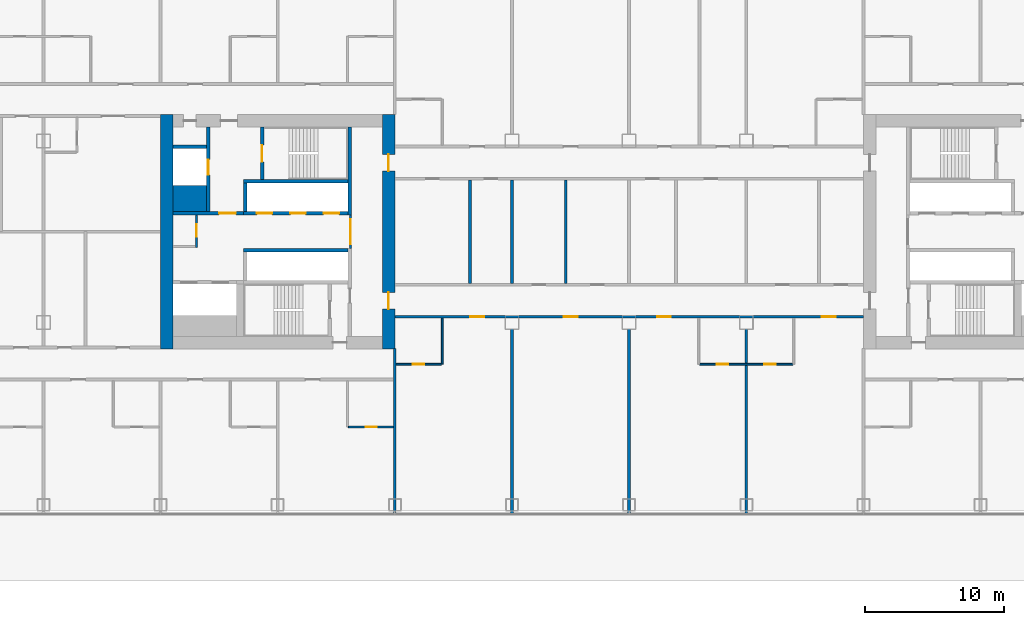
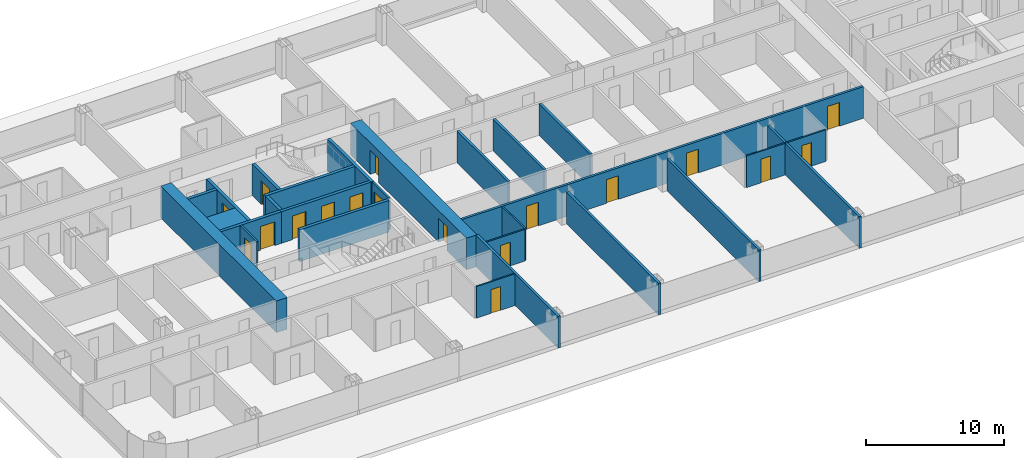
# One storey, part 22 of 42: 26 walls, 18 doors, 18 openings.
"""IFC4 building model written with IfcOpenShell, lengths in metres."""

from ifc_helpers import new_model, si_unit, direction, frame, frame_2d, origin, place, context, subcontext, project, spatial, rectangle, extrude, material, layer, layer_set, type_object, element, fill, save


model = new_model("IFC4")

# Units and contexts
model_context = context("Model", 3, precision=1e-05, world=origin(), true_north=direction((0.0, 1.0)))
body_context = subcontext(model_context, "Body", "Model", "MODEL_VIEW")
ifc_project = project(units=[si_unit("LENGTHUNIT", "METRE"), si_unit("AREAUNIT", "SQUARE_METRE"), si_unit("VOLUMEUNIT", "CUBIC_METRE"), si_unit("PLANEANGLEUNIT", "RADIAN"), si_unit("MASSUNIT", "GRAM", prefix="KILO")], contexts=[model_context])

# Site, building, storey
site_placement = place(None, origin())
site = spatial("IfcSite", under=ifc_project, at=site_placement, CompositionType="ELEMENT")
building_placement = place(site_placement, origin())
building = spatial("IfcBuilding", under=site, at=building_placement, Name="Hakoniwa Tower and Hamabe Station Hall", CompositionType="ELEMENT")
storey_placement = place(building_placement, frame((0.0, 0.0, 19.800048828125)))
storey = spatial("IfcBuildingStorey", under=building, at=storey_placement, Name="L04", CompositionType="ELEMENT", Elevation=19.800048828125)

# Wall, opening, door
ifc_material_1 = material(Name="Gypsum board partition", Category="gypsum")
ifc_layer_1 = layer(ifc_material_1, 0.125)
ifc_layer_set_1 = layer_set([ifc_layer_1], Name="Bathroom Partition 125")
wall_type_1 = type_object("IfcWallType", Name="Bathroom Partition 125", PredefinedType="PARTITIONING", material=ifc_layer_set_1)
wall_1_placement = place(storey_placement, frame((-20.137451171875, -14.0, 0.0), z_axis=(0.0, 0.0, 1.0), x_axis=(1.0, 0.0, 0.0)))
wall_1 = element("IfcWall", 1, at=wall_1_placement, inside=storey, type_object=wall_type_1, Name="GW-L04-004", PredefinedType="PARTITIONING", context=body_context, shape_type="SweptSolid", body=[
    extrude(rectangle(XDim=3.237548828125, YDim=0.125, at=frame_2d((1.61865234375, 0.0))), origin(), (0.0, 0.0, 1.0), 2.800048828125),
])
opening_1_placement = place(wall_1_placement, frame((1.237548828125, 0.0, 0.0)))
opening_1 = element("IfcOpeningElement", 2, at=opening_1_placement, cuts=wall_1, Name="Opening GD-G1A0-04", PredefinedType="OPENING", context=body_context, shape_type="SweptSolid", body=[
    extrude(rectangle(XDim=0.800048828125, YDim=2.10009765625, at=frame_2d((0.39990234375, 1.050048828125))), frame((0.0, 0.072509765625, 0.0), z_axis=(0.0, -1.0, 0.0), x_axis=(1.0, 0.0, 0.0)), (0.0, 0.0, 1.0), 0.14501953125),
])
ifc_material_2 = material(Name="Timber door leaf", Category="wood")
door_type_1 = type_object("IfcDoorType", Name="Bathroom Door 800", OperationType="SINGLE_SWING_LEFT", PredefinedType="DOOR", material=ifc_material_2)
door_1_placement = place(opening_1_placement, origin())
door_1 = element("IfcDoor", 3, at=door_1_placement, inside=storey, type_object=door_type_1, Name="Door GD-G1A0-04", OperationType="SINGLE_SWING_RIGHT", OverallHeight=2.10009765625, OverallWidth=0.800048828125, PredefinedType="DOOR", context=body_context, shape_type="SweptSolid", body=[
    extrude(rectangle(XDim=0.800048828125, YDim=2.10009765625, at=frame_2d((0.39990234375, 1.050048828125))), frame((0.0, 0.02490234375, 0.0), z_axis=(0.0, -1.0, 0.0), x_axis=(1.0, 0.0, 0.0)), (0.0, 0.0, 1.0), 0.050048828125),
])
fill(opening_1, door_1)

wall_2_placement = place(storey_placement, frame((-16.699951171875, -9.5, 0.0), z_axis=(0.0, 0.0, 1.0), x_axis=(1.0, 0.0, 0.0)))
wall_2 = element("IfcWall", 4, at=wall_2_placement, inside=storey, type_object=wall_type_1, Name="GW-L04-010", PredefinedType="PARTITIONING", context=body_context, shape_type="SweptSolid", body=[
    extrude(rectangle(XDim=3.237548828125, YDim=0.125, at=frame_2d((1.61865234375, 0.0))), origin(), (0.0, 0.0, 1.0), 2.800048828125),
])
opening_2_placement = place(wall_2_placement, frame((1.199951171875, 0.0, 0.0)))
opening_2 = element("IfcOpeningElement", 5, at=opening_2_placement, cuts=wall_2, Name="Opening GD-G1A0-17", PredefinedType="OPENING", context=body_context, shape_type="SweptSolid", body=[
    extrude(rectangle(XDim=0.800048828125, YDim=2.10009765625, at=frame_2d((0.39990234375, 1.050048828125))), frame((0.0, 0.072509765625, 0.0), z_axis=(0.0, -1.0, 0.0), x_axis=(1.0, 0.0, 0.0)), (0.0, 0.0, 1.0), 0.14501953125),
])
door_2_placement = place(opening_2_placement, origin())
door_2 = element("IfcDoor", 6, at=door_2_placement, inside=storey, type_object=door_type_1, Name="Door GD-G1A0-17", OperationType="SINGLE_SWING_RIGHT", OverallHeight=2.10009765625, OverallWidth=0.800048828125, PredefinedType="DOOR", context=body_context, shape_type="SweptSolid", body=[
    extrude(rectangle(XDim=0.800048828125, YDim=2.10009765625, at=frame_2d((0.39990234375, 1.050048828125))), frame((0.0, 0.02490234375, 0.0), z_axis=(0.0, -1.0, 0.0), x_axis=(1.0, 0.0, 0.0)), (0.0, 0.0, 1.0), 0.050048828125),
])
fill(opening_2, door_2)

# Wall, openings, doors
wall_3_placement = place(storey_placement, frame((5.0625, -9.5, 0.0), z_axis=(0.0, 0.0, 1.0), x_axis=(1.0, 0.0, 0.0)))
wall_3 = element("IfcWall", 7, at=wall_3_placement, inside=storey, type_object=wall_type_1, Name="GW-L04-011", PredefinedType="PARTITIONING", context=body_context, shape_type="SweptSolid", body=[
    extrude(rectangle(XDim=6.675048828125, YDim=0.125, at=frame_2d((3.33740234375, 0.0))), origin(), (0.0, 0.0, 1.0), 2.800048828125),
])
opening_3_placement = place(wall_3_placement, frame((1.237548828125, 0.0, 0.0)))
opening_3 = element("IfcOpeningElement", 8, at=opening_3_placement, cuts=wall_3, Name="Opening GD-G1A0-18", PredefinedType="OPENING", context=body_context, shape_type="SweptSolid", body=[
    extrude(rectangle(XDim=0.800048828125, YDim=2.10009765625, at=frame_2d((0.39990234375, 1.050048828125))), frame((0.0, 0.072509765625, 0.0), z_axis=(0.0, -1.0, 0.0), x_axis=(1.0, 0.0, 0.0)), (0.0, 0.0, 1.0), 0.14501953125),
])
opening_4_placement = place(wall_3_placement, frame((4.637451171875, 0.0, 0.0)))
opening_4 = element("IfcOpeningElement", 9, at=opening_4_placement, cuts=wall_3, Name="Opening GD-G1A0-19", PredefinedType="OPENING", context=body_context, shape_type="SweptSolid", body=[
    extrude(rectangle(XDim=0.800048828125, YDim=2.10009765625, at=frame_2d((0.39990234375, 1.050048828125))), frame((0.0, 0.072509765625, 0.0), z_axis=(0.0, -1.0, 0.0), x_axis=(1.0, 0.0, 0.0)), (0.0, 0.0, 1.0), 0.14501953125),
])
door_3_placement = place(opening_3_placement, origin())
door_3 = element("IfcDoor", 10, at=door_3_placement, inside=storey, type_object=door_type_1, Name="Door GD-G1A0-18", OperationType="SINGLE_SWING_LEFT", OverallHeight=2.10009765625, OverallWidth=0.800048828125, PredefinedType="DOOR", context=body_context, shape_type="SweptSolid", body=[
    extrude(rectangle(XDim=0.800048828125, YDim=2.10009765625, at=frame_2d((0.39990234375, 1.050048828125))), frame((0.0, 0.02490234375, 0.0), z_axis=(0.0, -1.0, 0.0), x_axis=(1.0, 0.0, 0.0)), (0.0, 0.0, 1.0), 0.050048828125),
])
fill(opening_3, door_3)
door_4_placement = place(opening_4_placement, origin())
door_4 = element("IfcDoor", 11, at=door_4_placement, inside=storey, type_object=door_type_1, Name="Door GD-G1A0-19", OperationType="SINGLE_SWING_RIGHT", OverallHeight=2.10009765625, OverallWidth=0.800048828125, PredefinedType="DOOR", context=body_context, shape_type="SweptSolid", body=[
    extrude(rectangle(XDim=0.800048828125, YDim=2.10009765625, at=frame_2d((0.39990234375, 1.050048828125))), frame((0.0, 0.02490234375, 0.0), z_axis=(0.0, -1.0, 0.0), x_axis=(1.0, 0.0, 0.0)), (0.0, 0.0, 1.0), 0.050048828125),
])
fill(opening_4, door_4)

# Wall
wall_4_placement = place(storey_placement, frame((-13.39990234375, -9.5, 0.0), z_axis=(0.0, 0.0, 1.0), x_axis=(0.0, 1.0, 0.0)))
element("IfcWall", 12, at=wall_4_placement, inside=storey, type_object=wall_type_1, Name="GW-L04-058", PredefinedType="PARTITIONING", context=body_context, shape_type="SweptSolid", body=[
    extrude(rectangle(XDim=3.300048828125, YDim=0.125, at=frame_2d((1.64990234375, 0.0))), origin(), (0.0, 0.0, 1.0), 2.800048828125),
])

# Wall, opening, door
ifc_material_3 = material(Name="Gypsum board partition")
ifc_layer_2 = layer(ifc_material_3, 0.14990234375)
ifc_layer_set_2 = layer_set([ifc_layer_2], Name="CORE PARTITION 150 EI 60")
wall_type_2 = type_object("IfcWallType", Name="CORE PARTITION 150 EI 60", PredefinedType="PARTITIONING", material=ifc_layer_set_2)
wall_5_placement = place(storey_placement, frame((-19.97509765625, -1.199951171875, 0.0), z_axis=(0.0, 0.0, 1.0), x_axis=(0.0, 1.0, 0.0)))
wall_5 = element("IfcWall", 13, at=wall_5_placement, inside=storey, type_object=wall_type_2, Name="Core partition PL0 west", PredefinedType="PARTITIONING", context=body_context, shape_type="SweptSolid", body=[
    extrude(rectangle(XDim=2.39990234375, YDim=0.14990234375, at=frame_2d((1.199951171875, 0.0))), origin(), (0.0, 0.0, 1.0), 2.800048828125),
])
opening_5_placement = place(wall_5_placement, frame((0.300048828125, 0.0, 0.0)))
opening_5 = element("IfcOpeningElement", 14, at=opening_5_placement, cuts=wall_5, Name="Opening CD-W-LP0-18", PredefinedType="OPENING", context=body_context, shape_type="SweptSolid", body=[
    extrude(rectangle(XDim=1.800048828125, YDim=2.10009765625, at=frame_2d((0.89990234375, 1.050048828125))), frame((0.0, 0.0849609375, 0.0), z_axis=(0.0, -1.0, 0.0), x_axis=(1.0, 0.0, 0.0)), (0.0, 0.0, 1.0), 0.169921875),
])
ifc_material_4 = material(Name="Steel fire door", Category="steel")
door_type_2 = type_object("IfcDoorType", Name="CORE DOOR 1800 FD60", OperationType="DOUBLE_DOOR_SINGLE_SWING", PredefinedType="DOOR", material=ifc_material_4)
door_5_placement = place(opening_5_placement, origin())
door_5 = element("IfcDoor", 15, at=door_5_placement, inside=storey, type_object=door_type_2, Name="Lift lobby partition door", OperationType="DOUBLE_DOOR_SINGLE_SWING", OverallHeight=2.10009765625, OverallWidth=1.800048828125, PredefinedType="DOOR", context=body_context, shape_type="SweptSolid", body=[
    extrude(rectangle(XDim=1.800048828125, YDim=2.10009765625, at=frame_2d((0.89990234375, 1.050048828125))), frame((0.0, 0.02490234375, 0.0), z_axis=(0.0, -1.0, 0.0), x_axis=(1.0, 0.0, 0.0)), (0.0, 0.0, 1.0), 0.050048828125),
])
fill(opening_5, door_5)

wall_6_placement = place(storey_placement, frame((-31.02490234375, -1.14990234375, 0.0), z_axis=(0.0, 0.0, 1.0), x_axis=(0.0, 1.0, 0.0)))
wall_6 = element("IfcWall", 16, at=wall_6_placement, inside=storey, type_object=wall_type_2, Name="Core partition PW0 west", PredefinedType="PARTITIONING", context=body_context, shape_type="SweptSolid", body=[
    extrude(rectangle(XDim=2.349853515625, YDim=0.14990234375, at=frame_2d((1.1748046875, 0.0))), origin(), (0.0, 0.0, 1.0), 2.800048828125),
])
opening_6_placement = place(wall_6_placement, frame((0.800048828125, 0.0, 0.0)))
opening_6 = element("IfcOpeningElement", 17, at=opening_6_placement, cuts=wall_6, Name="Opening CD-W-RM1-9", PredefinedType="OPENING", context=body_context, shape_type="SweptSolid", body=[
    extrude(rectangle(XDim=0.89990234375, YDim=2.10009765625, at=frame_2d((0.449951171875, 1.050048828125))), frame((0.0, 0.0849609375, 0.0), z_axis=(0.0, -1.0, 0.0), x_axis=(1.0, 0.0, 0.0)), (0.0, 0.0, 1.0), 0.169921875),
])
ifc_material_5 = material(Name="Steel fire door", Category="steel")
door_type_3 = type_object("IfcDoorType", Name="CORE DOOR 900 FD30", OperationType="NOTDEFINED", PredefinedType="DOOR", material=ifc_material_5)
door_6_placement = place(opening_6_placement, origin())
door_6 = element("IfcDoor", 18, at=door_6_placement, inside=storey, type_object=door_type_3, Name="Store room door", OperationType="SINGLE_SWING_LEFT", OverallHeight=2.10009765625, OverallWidth=0.89990234375, PredefinedType="DOOR", context=body_context, shape_type="SweptSolid", body=[
    extrude(rectangle(XDim=0.89990234375, YDim=2.10009765625, at=frame_2d((0.449951171875, 1.050048828125))), frame((0.0, 0.02490234375, 0.0), z_axis=(0.0, -1.0, 0.0), x_axis=(1.0, 0.0, 0.0)), (0.0, 0.0, 1.0), 0.050048828125),
])
fill(opening_6, door_6)

# Wall, openings, doors
ifc_material_6 = material(Name="Concrete C80", Category="concrete")
ifc_layer_3 = layer(ifc_material_6, 0.89990234375)
ifc_layer_set_3 = layer_set([ifc_layer_3], Name="CORE WALL 900 C80")
wall_type_3 = type_object("IfcWallType", Name="CORE WALL 900 C80", PredefinedType="SHEAR", material=ifc_layer_set_3)
wall_7_placement = place(storey_placement, frame((-17.25, -8.39990234375, 0.0), z_axis=(0.0, 0.0, 1.0), x_axis=(0.0, 1.0, 0.0)))
wall_7 = element("IfcWall", 19, at=wall_7_placement, inside=storey, type_object=wall_type_3, Name="Core wall INNER west", PredefinedType="SHEAR", context=body_context, shape_type="SweptSolid", body=[
    extrude(rectangle(XDim=16.7998046875, YDim=0.89990234375, at=frame_2d((8.39990234375, 0.0))), origin(), (0.0, 0.0, 1.0), 2.800048828125),
])
opening_7_placement = place(wall_7_placement, frame((12.75, 0.0, 0.0)))
opening_7 = element("IfcOpeningElement", 20, at=opening_7_placement, cuts=wall_7, Name="Opening CD-W-IN1-12", PredefinedType="OPENING", context=body_context, shape_type="SweptSolid", body=[
    extrude(rectangle(XDim=1.199951171875, YDim=2.10009765625, at=frame_2d((0.60009765625, 1.050048828125))), frame((0.0, 0.4599609375, 0.0), z_axis=(0.0, -1.0, 0.0), x_axis=(1.0, 0.0, 0.0)), (0.0, 0.0, 1.0), 0.919921875),
])
opening_8_placement = place(wall_7_placement, frame((2.85009765625, 0.0, 0.0)))
opening_8 = element("IfcOpeningElement", 21, at=opening_8_placement, cuts=wall_7, Name="Opening CD-W-IN2-12", PredefinedType="OPENING", context=body_context, shape_type="SweptSolid", body=[
    extrude(rectangle(XDim=1.199951171875, YDim=2.10009765625, at=frame_2d((0.60009765625, 1.050048828125))), frame((0.0, 0.4599609375, 0.0), z_axis=(0.0, -1.0, 0.0), x_axis=(1.0, 0.0, 0.0)), (0.0, 0.0, 1.0), 0.919921875),
])
ifc_material_7 = material(Name="Steel fire door", Category="steel")
door_type_4 = type_object("IfcDoorType", Name="CORE DOOR 1200 FD60", OperationType="DOUBLE_DOOR_SINGLE_SWING", PredefinedType="DOOR", material=ifc_material_7)
door_7_placement = place(opening_7_placement, origin())
door_7 = element("IfcDoor", 22, at=door_7_placement, inside=storey, type_object=door_type_4, Name="Lift lobby door", OperationType="DOUBLE_DOOR_SINGLE_SWING", OverallHeight=2.10009765625, OverallWidth=1.199951171875, PredefinedType="DOOR", context=body_context, shape_type="SweptSolid", body=[
    extrude(rectangle(XDim=1.199951171875, YDim=2.10009765625, at=frame_2d((0.60009765625, 1.050048828125))), frame((0.0, 0.02490234375, 0.0), z_axis=(0.0, -1.0, 0.0), x_axis=(1.0, 0.0, 0.0)), (0.0, 0.0, 1.0), 0.050048828125),
])
fill(opening_7, door_7)
door_8_placement = place(opening_8_placement, origin())
door_8 = element("IfcDoor", 23, at=door_8_placement, inside=storey, type_object=door_type_4, Name="Lift lobby door", OperationType="DOUBLE_DOOR_SINGLE_SWING", OverallHeight=2.10009765625, OverallWidth=1.199951171875, PredefinedType="DOOR", context=body_context, shape_type="SweptSolid", body=[
    extrude(rectangle(XDim=1.199951171875, YDim=2.10009765625, at=frame_2d((0.60009765625, 1.050048828125))), frame((0.0, 0.02490234375, 0.0), z_axis=(0.0, -1.0, 0.0), x_axis=(1.0, 0.0, 0.0)), (0.0, 0.0, 1.0), 0.050048828125),
])
fill(opening_8, door_8)

# Walls
wall_8_placement = place(storey_placement, frame((-33.14990234375, -8.39990234375, 0.0), z_axis=(0.0, 0.0, 1.0), x_axis=(0.0, 1.0, 0.0)))
element("IfcWall", 24, at=wall_8_placement, inside=storey, type_object=wall_type_3, Name="Core wall OUTER west", PredefinedType="SHEAR", context=body_context, shape_type="SweptSolid", body=[
    extrude(rectangle(XDim=16.7998046875, YDim=0.89990234375, at=frame_2d((8.39990234375, 0.0))), origin(), (0.0, 0.0, 1.0), 2.800048828125),
])
ifc_material_8 = material(Name="Concrete C80", Category="concrete")
ifc_layer_4 = layer(ifc_material_8, 1.85009765625)
ifc_layer_set_4 = layer_set([ifc_layer_4], Name="CORE WEB WALL 1850 C80")
wall_type_4 = type_object("IfcWallType", Name="CORE WEB WALL 1850 C80", PredefinedType="SHEAR", material=ifc_layer_set_4)
wall_9_placement = place(storey_placement, frame((-32.699951171875, 2.375, 0.0), z_axis=(0.0, 0.0, 1.0), x_axis=(1.0, 0.0, 0.0)))
element("IfcWall", 25, at=wall_9_placement, inside=storey, type_object=wall_type_4, Name="Core wall CA west", PredefinedType="SHEAR", context=body_context, shape_type="SweptSolid", body=[
    extrude(rectangle(XDim=2.39990234375, YDim=1.85009765625, at=frame_2d((1.199951171875, 0.0))), origin(), (0.0, 0.0, 1.0), 2.800048828125),
])
ifc_material_9 = material(Name="Concrete C80", Category="concrete")
ifc_layer_5 = layer(ifc_material_9, 0.25)
ifc_layer_set_5 = layer_set([ifc_layer_5], Name="CORE WEB WALL 250 C80")
wall_type_5 = type_object("IfcWallType", Name="CORE WEB WALL 250 C80", PredefinedType="SHEAR", material=ifc_layer_set_5)
wall_10_placement = place(storey_placement, frame((-20.02490234375, 1.199951171875, 0.0), z_axis=(0.0, 0.0, 1.0), x_axis=(0.0, 1.0, 0.0)))
element("IfcWall", 26, at=wall_10_placement, inside=storey, type_object=wall_type_5, Name="Core wall W1N west", PredefinedType="SHEAR", context=body_context, shape_type="SweptSolid", body=[
    extrude(rectangle(XDim=6.300048828125, YDim=0.25, at=frame_2d((3.14990234375, 0.0))), origin(), (0.0, 0.0, 1.0), 2.800048828125),
])

# Wall, openings, doors
wall_11_placement = place(storey_placement, frame((-27.64990234375, 1.324951171875, 0.0), z_axis=(0.0, 0.0, 1.0), x_axis=(1.0, 0.0, 0.0)))
wall_11 = element("IfcWall", 27, at=wall_11_placement, inside=storey, type_object=wall_type_5, Name="Core wall NF west", PredefinedType="SHEAR", context=body_context, shape_type="SweptSolid", body=[
    extrude(rectangle(XDim=7.5, YDim=0.25, at=frame_2d((3.75, 0.0))), origin(), (0.0, 0.0, 1.0), 2.800048828125),
])
opening_9_placement = place(wall_11_placement, frame((5.75, 0.0, 0.0)))
opening_9 = element("IfcOpeningElement", 28, at=opening_9_placement, cuts=wall_11, Name="Opening LD-LR1", PredefinedType="OPENING", context=body_context, shape_type="SweptSolid", body=[
    extrude(rectangle(XDim=1.10009765625, YDim=2.10009765625, at=frame_2d((0.550048828125, 1.050048828125))), frame((0.0, 0.135009765625, 0.0), z_axis=(0.0, -1.0, 0.0), x_axis=(1.0, 0.0, 0.0)), (0.0, 0.0, 1.0), 0.27001953125),
])
opening_10_placement = place(wall_11_placement, frame((3.35009765625, 0.0, 0.0)))
opening_10 = element("IfcOpeningElement", 29, at=opening_10_placement, cuts=wall_11, Name="Opening LD-LR2", PredefinedType="OPENING", context=body_context, shape_type="SweptSolid", body=[
    extrude(rectangle(XDim=1.10009765625, YDim=2.10009765625, at=frame_2d((0.550048828125, 1.050048828125))), frame((0.0, 0.135009765625, 0.0), z_axis=(0.0, -1.0, 0.0), x_axis=(1.0, 0.0, 0.0)), (0.0, 0.0, 1.0), 0.27001953125),
])
opening_11_placement = place(wall_11_placement, frame((0.949951171875, 0.0, 0.0)))
opening_11 = element("IfcOpeningElement", 30, at=opening_11_placement, cuts=wall_11, Name="Opening LD-LR3", PredefinedType="OPENING", context=body_context, shape_type="SweptSolid", body=[
    extrude(rectangle(XDim=1.10009765625, YDim=2.10009765625, at=frame_2d((0.550048828125, 1.050048828125))), frame((0.0, 0.135009765625, 0.0), z_axis=(0.0, -1.0, 0.0), x_axis=(1.0, 0.0, 0.0)), (0.0, 0.0, 1.0), 0.27001953125),
])
ifc_material_10 = material(Name="Stainless steel SUS304", Category="steel")
door_type_5 = type_object("IfcDoorType", Name="LIFT LANDING DOOR 1100 FD60", OperationType="DOUBLE_DOOR_SLIDING", PredefinedType="DOOR", material=ifc_material_10)
door_9_placement = place(opening_9_placement, origin())
door_9 = element("IfcDoor", 31, at=door_9_placement, inside=storey, type_object=door_type_5, Name="Lift landing door LR1 L04", OperationType="DOUBLE_DOOR_SLIDING", OverallHeight=2.10009765625, OverallWidth=1.10009765625, PredefinedType="DOOR", context=body_context, shape_type="SweptSolid", body=[
    extrude(rectangle(XDim=1.10009765625, YDim=2.10009765625, at=frame_2d((0.550048828125, 1.050048828125))), frame((0.0, 0.02490234375, 0.0), z_axis=(0.0, -1.0, 0.0), x_axis=(1.0, 0.0, 0.0)), (0.0, 0.0, 1.0), 0.050048828125),
])
fill(opening_9, door_9)
door_10_placement = place(opening_10_placement, origin())
door_10 = element("IfcDoor", 32, at=door_10_placement, inside=storey, type_object=door_type_5, Name="Lift landing door LR2 L04", OperationType="DOUBLE_DOOR_SLIDING", OverallHeight=2.10009765625, OverallWidth=1.10009765625, PredefinedType="DOOR", context=body_context, shape_type="SweptSolid", body=[
    extrude(rectangle(XDim=1.10009765625, YDim=2.10009765625, at=frame_2d((0.550048828125, 1.050048828125))), frame((0.0, 0.02490234375, 0.0), z_axis=(0.0, -1.0, 0.0), x_axis=(1.0, 0.0, 0.0)), (0.0, 0.0, 1.0), 0.050048828125),
])
fill(opening_10, door_10)
door_11_placement = place(opening_11_placement, origin())
door_11 = element("IfcDoor", 33, at=door_11_placement, inside=storey, type_object=door_type_5, Name="Lift landing door LR3 L04", OperationType="DOUBLE_DOOR_SLIDING", OverallHeight=2.10009765625, OverallWidth=1.10009765625, PredefinedType="DOOR", context=body_context, shape_type="SweptSolid", body=[
    extrude(rectangle(XDim=1.10009765625, YDim=2.10009765625, at=frame_2d((0.550048828125, 1.050048828125))), frame((0.0, 0.02490234375, 0.0), z_axis=(0.0, -1.0, 0.0), x_axis=(1.0, 0.0, 0.0)), (0.0, 0.0, 1.0), 0.050048828125),
])
fill(opening_11, door_11)

# Walls
wall_12_placement = place(storey_placement, frame((-27.52490234375, 1.449951171875, 0.0), z_axis=(0.0, 0.0, 1.0), x_axis=(0.0, 1.0, 0.0)))
element("IfcWall", 34, at=wall_12_placement, inside=storey, type_object=wall_type_5, Name="Core wall NE west", PredefinedType="SHEAR", context=body_context, shape_type="SweptSolid", body=[
    extrude(rectangle(XDim=2.050048828125, YDim=0.25, at=frame_2d((1.02490234375, 0.0))), origin(), (0.0, 0.0, 1.0), 2.800048828125),
])
wall_13_placement = place(storey_placement, frame((-27.64990234375, 3.625, 0.0), z_axis=(0.0, 0.0, 1.0), x_axis=(1.0, 0.0, 0.0)))
element("IfcWall", 35, at=wall_13_placement, inside=storey, type_object=wall_type_5, Name="Core wall NR west", PredefinedType="SHEAR", context=body_context, shape_type="SweptSolid", body=[
    extrude(rectangle(XDim=7.5, YDim=0.25, at=frame_2d((3.75, 0.0))), origin(), (0.0, 0.0, 1.0), 2.800048828125),
])

# Wall, opening, door
wall_14_placement = place(storey_placement, frame((-26.324951171875, 3.75, 0.0), z_axis=(0.0, 0.0, 1.0), x_axis=(0.0, 1.0, 0.0)))
wall_14 = element("IfcWall", 36, at=wall_14_placement, inside=storey, type_object=wall_type_5, Name="Core wall NSE west", PredefinedType="SHEAR", context=body_context, shape_type="SweptSolid", body=[
    extrude(rectangle(XDim=3.75, YDim=0.25, at=frame_2d((1.875, 0.0))), origin(), (0.0, 0.0, 1.0), 2.800048828125),
])
opening_12_placement = place(wall_14_placement, frame((1.25, 0.0, 0.0)))
opening_12 = element("IfcOpeningElement", 37, at=opening_12_placement, cuts=wall_14, Name="Opening CD-W-SN-12", PredefinedType="OPENING", context=body_context, shape_type="SweptSolid", body=[
    extrude(rectangle(XDim=1.199951171875, YDim=2.10009765625, at=frame_2d((0.60009765625, 1.050048828125))), frame((0.0, 0.135009765625, 0.0), z_axis=(0.0, -1.0, 0.0), x_axis=(1.0, 0.0, 0.0)), (0.0, 0.0, 1.0), 0.27001953125),
])
door_12_placement = place(opening_12_placement, origin())
door_12 = element("IfcDoor", 38, at=door_12_placement, inside=storey, type_object=door_type_4, Name="Escape stair door", OperationType="DOUBLE_DOOR_SINGLE_SWING", OverallHeight=2.10009765625, OverallWidth=1.199951171875, PredefinedType="DOOR", context=body_context, shape_type="SweptSolid", body=[
    extrude(rectangle(XDim=1.199951171875, YDim=2.10009765625, at=frame_2d((0.60009765625, 1.050048828125))), frame((0.0, 0.02490234375, 0.0), z_axis=(0.0, -1.0, 0.0), x_axis=(1.0, 0.0, 0.0)), (0.0, 0.0, 1.0), 0.050048828125),
])
fill(opening_12, door_12)

wall_15_placement = place(storey_placement, frame((-32.699951171875, 1.324951171875, 0.0), z_axis=(0.0, 0.0, 1.0), x_axis=(1.0, 0.0, 0.0)))
wall_15 = element("IfcWall", 39, at=wall_15_placement, inside=storey, type_object=wall_type_5, Name="Core wall ELN west", PredefinedType="SHEAR", context=body_context, shape_type="SweptSolid", body=[
    extrude(rectangle(XDim=5.050048828125, YDim=0.25, at=frame_2d((2.52490234375, 0.0))), origin(), (0.0, 0.0, 1.0), 2.800048828125),
])
opening_13_placement = place(wall_15_placement, frame((3.300048828125, 0.0, 0.0)))
opening_13 = element("IfcOpeningElement", 40, at=opening_13_placement, cuts=wall_15, Name="Opening CD-W-FL-12", PredefinedType="OPENING", context=body_context, shape_type="SweptSolid", body=[
    extrude(rectangle(XDim=1.199951171875, YDim=2.10009765625, at=frame_2d((0.60009765625, 1.050048828125))), frame((0.0, 0.135009765625, 0.0), z_axis=(0.0, -1.0, 0.0), x_axis=(1.0, 0.0, 0.0)), (0.0, 0.0, 1.0), 0.27001953125),
])
door_13_placement = place(opening_13_placement, origin())
door_13 = element("IfcDoor", 41, at=door_13_placement, inside=storey, type_object=door_type_4, Name="Stair vestibule door to the fire-fighting lobby", OperationType="DOUBLE_DOOR_SINGLE_SWING", OverallHeight=2.10009765625, OverallWidth=1.199951171875, PredefinedType="DOOR", context=body_context, shape_type="SweptSolid", body=[
    extrude(rectangle(XDim=1.199951171875, YDim=2.10009765625, at=frame_2d((0.60009765625, 1.050048828125))), frame((0.0, 0.02490234375, 0.0), z_axis=(0.0, -1.0, 0.0), x_axis=(1.0, 0.0, 0.0)), (0.0, 0.0, 1.0), 0.050048828125),
])
fill(opening_13, door_13)

wall_16_placement = place(storey_placement, frame((-30.175048828125, 1.449951171875, 0.0), z_axis=(0.0, 0.0, 1.0), x_axis=(0.0, 1.0, 0.0)))
wall_16 = element("IfcWall", 42, at=wall_16_placement, inside=storey, type_object=wall_type_5, Name="Core wall FFF west", PredefinedType="SHEAR", context=body_context, shape_type="SweptSolid", body=[
    extrude(rectangle(XDim=6.050048828125, YDim=0.25, at=frame_2d((3.02490234375, 0.0))), origin(), (0.0, 0.0, 1.0), 2.800048828125),
])
opening_14_placement = place(wall_16_placement, frame((2.625, 0.0, 0.0)))
opening_14 = element("IfcOpeningElement", 43, at=opening_14_placement, cuts=wall_16, Name="Opening LD-FF1", PredefinedType="OPENING", context=body_context, shape_type="SweptSolid", body=[
    extrude(rectangle(XDim=1.10009765625, YDim=2.10009765625, at=frame_2d((0.550048828125, 1.050048828125))), frame((0.0, 0.135009765625, 0.0), z_axis=(0.0, -1.0, 0.0), x_axis=(1.0, 0.0, 0.0)), (0.0, 0.0, 1.0), 0.27001953125),
])
door_14_placement = place(opening_14_placement, origin())
door_14 = element("IfcDoor", 44, at=door_14_placement, inside=storey, type_object=door_type_5, Name="Lift landing door FF1 L04", OperationType="DOUBLE_DOOR_SLIDING", OverallHeight=2.10009765625, OverallWidth=1.10009765625, PredefinedType="DOOR", context=body_context, shape_type="SweptSolid", body=[
    extrude(rectangle(XDim=1.10009765625, YDim=2.10009765625, at=frame_2d((0.550048828125, 1.050048828125))), frame((0.0, 0.02490234375, 0.0), z_axis=(0.0, -1.0, 0.0), x_axis=(1.0, 0.0, 0.0)), (0.0, 0.0, 1.0), 0.050048828125),
])
fill(opening_14, door_14)

# Walls
wall_17_placement = place(storey_placement, frame((-32.699951171875, 6.074951171875, 0.0), z_axis=(0.0, 0.0, 1.0), x_axis=(1.0, 0.0, 0.0)))
element("IfcWall", 45, at=wall_17_placement, inside=storey, type_object=wall_type_5, Name="Core wall C2 west", PredefinedType="SHEAR", context=body_context, shape_type="SweptSolid", body=[
    extrude(rectangle(XDim=2.39990234375, YDim=0.25, at=frame_2d((1.199951171875, 0.0))), origin(), (0.0, 0.0, 1.0), 2.800048828125),
])
wall_18_placement = place(storey_placement, frame((-27.64990234375, -1.324951171875, 0.0), z_axis=(0.0, 0.0, 1.0), x_axis=(1.0, 0.0, 0.0)))
element("IfcWall", 46, at=wall_18_placement, inside=storey, type_object=wall_type_5, Name="Core wall SF west", PredefinedType="SHEAR", context=body_context, shape_type="SweptSolid", body=[
    extrude(rectangle(XDim=7.5, YDim=0.25, at=frame_2d((3.75, 0.0))), origin(), (0.0, 0.0, 1.0), 2.800048828125),
])

# Wall, openings, doors
ifc_material_11 = material(Name="Fire-rated gypsum board partition", Category="gypsum")
ifc_layer_6 = layer(ifc_material_11, 0.199951171875)
ifc_layer_set_6 = layer_set([ifc_layer_6], Name="Corridor Wall 200")
wall_type_6 = type_object("IfcWallType", Name="Corridor Wall 200", PredefinedType="PARTITIONING", material=ifc_layer_set_6)
wall_19_placement = place(storey_placement, frame((-16.800048828125, -6.10009765625, 0.0), z_axis=(0.0, 0.0, 1.0), x_axis=(1.0, 0.0, 0.0)))
wall_19 = element("IfcWall", 47, at=wall_19_placement, inside=storey, type_object=wall_type_6, Name="GW-L04-014", PredefinedType="PARTITIONING", context=body_context, shape_type="SweptSolid", body=[
    extrude(rectangle(XDim=33.60009765625, YDim=0.199951171875, at=frame_2d((16.800048828125, 0.0))), origin(), (0.0, 0.0, 1.0), 2.800048828125),
])
opening_15_placement = place(wall_19_placement, frame((5.39990234375, 0.0, 0.0)))
opening_15 = element("IfcOpeningElement", 48, at=opening_15_placement, cuts=wall_19, Name="Opening GD-G1A0-25", PredefinedType="OPENING", context=body_context, shape_type="SweptSolid", body=[
    extrude(rectangle(XDim=1.0, YDim=2.10009765625, at=frame_2d((0.5, 1.050048828125))), frame((0.0, 0.10986328125, 0.0), z_axis=(0.0, -1.0, 0.0), x_axis=(1.0, 0.0, 0.0)), (0.0, 0.0, 1.0), 0.219970703125),
])
opening_16_placement = place(wall_19_placement, frame((12.10009765625, 0.0, 0.0)))
opening_16 = element("IfcOpeningElement", 49, at=opening_16_placement, cuts=wall_19, Name="Opening GD-G1A0-26", PredefinedType="OPENING", context=body_context, shape_type="SweptSolid", body=[
    extrude(rectangle(XDim=1.0, YDim=2.10009765625, at=frame_2d((0.5, 1.050048828125))), frame((0.0, 0.10986328125, 0.0), z_axis=(0.0, -1.0, 0.0), x_axis=(1.0, 0.0, 0.0)), (0.0, 0.0, 1.0), 0.219970703125),
])
opening_17_placement = place(wall_19_placement, frame((18.800048828125, 0.0, 0.0)))
opening_17 = element("IfcOpeningElement", 50, at=opening_17_placement, cuts=wall_19, Name="Opening GD-G1A0-27", PredefinedType="OPENING", context=body_context, shape_type="SweptSolid", body=[
    extrude(rectangle(XDim=1.0, YDim=2.10009765625, at=frame_2d((0.5, 1.050048828125))), frame((0.0, 0.10986328125, 0.0), z_axis=(0.0, -1.0, 0.0), x_axis=(1.0, 0.0, 0.0)), (0.0, 0.0, 1.0), 0.219970703125),
])
opening_18_placement = place(wall_19_placement, frame((30.60009765625, 0.0, 0.0)))
opening_18 = element("IfcOpeningElement", 51, at=opening_18_placement, cuts=wall_19, Name="Opening GD-G1A0-28", PredefinedType="OPENING", context=body_context, shape_type="SweptSolid", body=[
    extrude(rectangle(XDim=1.0, YDim=2.10009765625, at=frame_2d((0.5, 1.050048828125))), frame((0.0, 0.10986328125, 0.0), z_axis=(0.0, -1.0, 0.0), x_axis=(1.0, 0.0, 0.0)), (0.0, 0.0, 1.0), 0.219970703125),
])
ifc_material_12 = material(Name="Timber door leaf", Category="wood")
door_type_6 = type_object("IfcDoorType", Name="Guest Entrance Door 1000", OperationType="SINGLE_SWING_LEFT", PredefinedType="DOOR", material=ifc_material_12)
door_15_placement = place(opening_15_placement, origin())
door_15 = element("IfcDoor", 52, at=door_15_placement, inside=storey, type_object=door_type_6, Name="Door GD-G1A0-25", OperationType="SINGLE_SWING_RIGHT", OverallHeight=2.10009765625, OverallWidth=1.0, PredefinedType="DOOR", context=body_context, shape_type="SweptSolid", body=[
    extrude(rectangle(XDim=1.0, YDim=2.10009765625, at=frame_2d((0.5, 1.050048828125))), frame((0.0, 0.02490234375, 0.0), z_axis=(0.0, -1.0, 0.0), x_axis=(1.0, 0.0, 0.0)), (0.0, 0.0, 1.0), 0.050048828125),
])
fill(opening_15, door_15)
door_16_placement = place(opening_16_placement, origin())
door_16 = element("IfcDoor", 53, at=door_16_placement, inside=storey, type_object=door_type_6, Name="Door GD-G1A0-26", OperationType="SINGLE_SWING_LEFT", OverallHeight=2.10009765625, OverallWidth=1.0, PredefinedType="DOOR", context=body_context, shape_type="SweptSolid", body=[
    extrude(rectangle(XDim=1.0, YDim=2.10009765625, at=frame_2d((0.5, 1.050048828125))), frame((0.0, 0.02490234375, 0.0), z_axis=(0.0, -1.0, 0.0), x_axis=(1.0, 0.0, 0.0)), (0.0, 0.0, 1.0), 0.050048828125),
])
fill(opening_16, door_16)
door_17_placement = place(opening_17_placement, origin())
door_17 = element("IfcDoor", 54, at=door_17_placement, inside=storey, type_object=door_type_6, Name="Door GD-G1A0-27", OperationType="SINGLE_SWING_RIGHT", OverallHeight=2.10009765625, OverallWidth=1.0, PredefinedType="DOOR", context=body_context, shape_type="SweptSolid", body=[
    extrude(rectangle(XDim=1.0, YDim=2.10009765625, at=frame_2d((0.5, 1.050048828125))), frame((0.0, 0.02490234375, 0.0), z_axis=(0.0, -1.0, 0.0), x_axis=(1.0, 0.0, 0.0)), (0.0, 0.0, 1.0), 0.050048828125),
])
fill(opening_17, door_17)
door_18_placement = place(opening_18_placement, origin())
door_18 = element("IfcDoor", 55, at=door_18_placement, inside=storey, type_object=door_type_6, Name="Door GD-G1A0-28", OperationType="SINGLE_SWING_LEFT", OverallHeight=2.10009765625, OverallWidth=1.0, PredefinedType="DOOR", context=body_context, shape_type="SweptSolid", body=[
    extrude(rectangle(XDim=1.0, YDim=2.10009765625, at=frame_2d((0.5, 1.050048828125))), frame((0.0, 0.02490234375, 0.0), z_axis=(0.0, -1.0, 0.0), x_axis=(1.0, 0.0, 0.0)), (0.0, 0.0, 1.0), 0.050048828125),
])
fill(opening_18, door_18)

# Walls
ifc_material_13 = material(Name="Fire-rated gypsum board partition", Category="gypsum")
ifc_layer_7 = layer(ifc_material_13, 0.199951171875)
ifc_layer_set_7 = layer_set([ifc_layer_7], Name="Party Wall 200")
wall_type_7 = type_object("IfcWallType", Name="Party Wall 200", PredefinedType="PARTITIONING", material=ifc_layer_set_7)
wall_20_placement = place(storey_placement, frame((-16.800048828125, -20.300048828125, 0.0), z_axis=(0.0, 0.0, 1.0), x_axis=(0.0, 1.0, 0.0)))
element("IfcWall", 56, at=wall_20_placement, inside=storey, type_object=wall_type_7, Name="GW-L04-056", PredefinedType="PARTITIONING", context=body_context, shape_type="SweptSolid", body=[
    extrude(rectangle(XDim=11.91015625, YDim=0.199951171875, at=frame_2d((5.955078125, 0.0))), origin(), (0.0, 0.0, 1.0), 2.800048828125),
])
wall_21_placement = place(storey_placement, frame((-11.419921875, -3.699951171875, 0.0), z_axis=(0.0, 0.0, 1.0), x_axis=(0.0, 1.0, 0.0)))
element("IfcWall", 57, at=wall_21_placement, inside=storey, type_object=wall_type_7, Name="GW-L04-060", PredefinedType="PARTITIONING", context=body_context, shape_type="SweptSolid", body=[
    extrude(rectangle(XDim=7.39990234375, YDim=0.199951171875, at=frame_2d((3.699951171875, 0.0))), origin(), (0.0, 0.0, 1.0), 2.800048828125),
])
wall_22_placement = place(storey_placement, frame((-8.39990234375, -20.300048828125, 0.0), z_axis=(0.0, 0.0, 1.0), x_axis=(0.0, 1.0, 0.0)))
element("IfcWall", 58, at=wall_22_placement, inside=storey, type_object=wall_type_7, Name="GW-L04-061", PredefinedType="PARTITIONING", context=body_context, shape_type="SweptSolid", body=[
    extrude(rectangle(XDim=13.31005859375, YDim=0.199951171875, at=frame_2d((6.655029296875, 0.0))), origin(), (0.0, 0.0, 1.0), 2.800048828125),
])
for number, where, z_axis, x_axis, name in (
    (59, (-8.39990234375, -3.699951171875, 0.0), (0.0, 0.0, 1.0), (0.0, 1.0, 0.0), "GW-L04-062"),
    (60, (-4.5400390625, -3.699951171875, 0.0), (0.0, 0.0, 1.0), (0.0, 1.0, 0.0), "GW-L04-064"),
):
    element("IfcWall", number, at=place(storey_placement, frame(where, z_axis=z_axis, x_axis=x_axis)), inside=storey, type_object=wall_type_7, Name=name, PredefinedType="PARTITIONING", context=body_context, shape_type="SweptSolid", body=[
        extrude(rectangle(XDim=7.39990234375, YDim=0.199951171875, at=frame_2d((3.699951171875, 0.0))), origin(), (0.0, 0.0, 1.0), 2.800048828125),
    ])
for number, where, z_axis, x_axis, name in (
    (61, (0.0, -20.300048828125, 0.0), (0.0, 0.0, 1.0), (0.0, 1.0, 0.0), "GW-L04-065"),
    (62, (8.39990234375, -20.300048828125, 0.0), (0.0, 0.0, 1.0), (0.0, 1.0, 0.0), "GW-L04-071"),
):
    element("IfcWall", number, at=place(storey_placement, frame(where, z_axis=z_axis, x_axis=x_axis)), inside=storey, type_object=wall_type_7, Name=name, PredefinedType="PARTITIONING", context=body_context, shape_type="SweptSolid", body=[
        extrude(rectangle(XDim=13.31005859375, YDim=0.199951171875, at=frame_2d((6.655029296875, 0.0))), origin(), (0.0, 0.0, 1.0), 2.800048828125),
    ])

save(model, "model.ifc")
